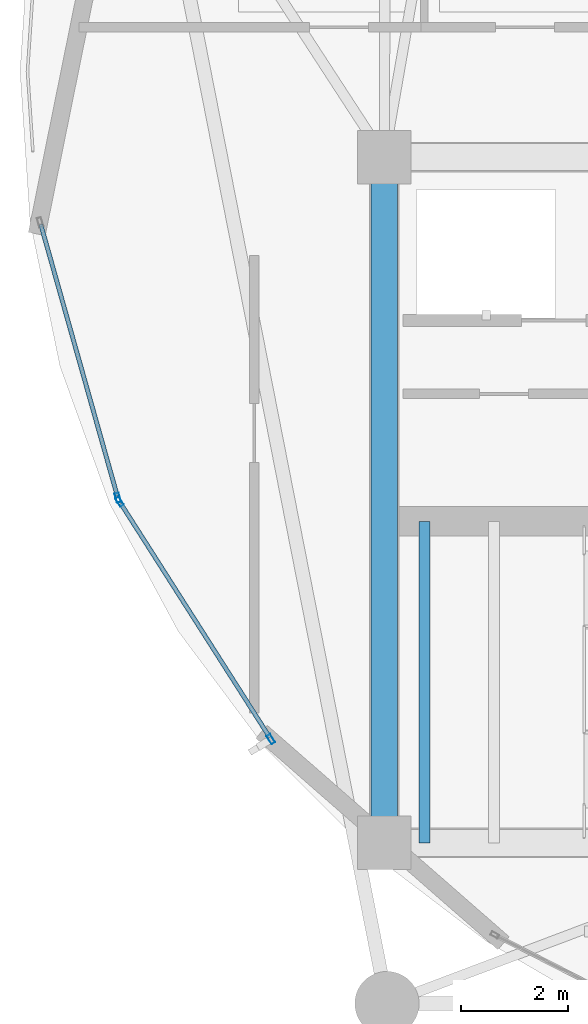
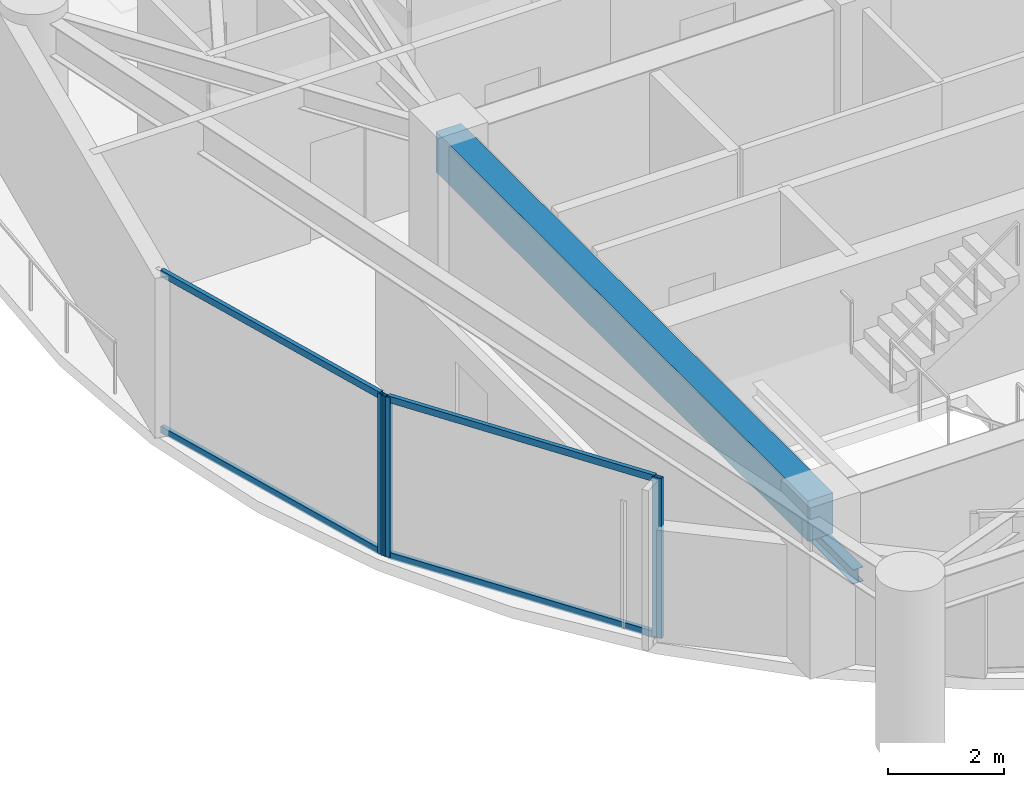
# One storey, part 3 of 28: 7 members, 2 beams, 2 elements without a shape of their own.
"""IFC4 building model written with IfcOpenShell, lengths in metres."""

from ifc_helpers import new_model, si_unit, direction, frame, origin, origin_2d, place, context, subcontext, project, spatial, rectangle, hollow_rectangle, i_section, extrude, material, layer, layer_set, material_profile, profile_set, type_object, element, aggregate, save


model = new_model("IFC4")

# Units and contexts
model_context = context("Model", 3, precision=1e-05, world=origin(), true_north=direction((0.0, 1.0)))
body_context = subcontext(model_context, "Body", "Model", "MODEL_VIEW")
ifc_project = project(units=[si_unit("LENGTHUNIT", "METRE"), si_unit("AREAUNIT", "SQUARE_METRE"), si_unit("VOLUMEUNIT", "CUBIC_METRE"), si_unit("PLANEANGLEUNIT", "RADIAN"), si_unit("MASSUNIT", "GRAM", prefix="KILO")], contexts=[model_context])

# Site, building, storey
site_placement = place(None, origin())
site = spatial("IfcSite", under=ifc_project, at=site_placement, CompositionType="ELEMENT")
building_placement = place(site_placement, origin())
building = spatial("IfcBuilding", under=site, at=building_placement, Name="Kazevale Care Tower and Concert Hall", CompositionType="ELEMENT")
storey_placement = place(building_placement, frame((0.0, 0.0, 142.199951171875)))
storey = spatial("IfcBuildingStorey", under=building, at=storey_placement, Name="L37", CompositionType="ELEMENT", Elevation=142.199951171875)

# Curtain wall, members
ifc_material_1 = material(Name="Aluminium 6063-T6 and Low-E Glass", Category="aluminium")
ifc_layer = layer(ifc_material_1, 0.179931640625)
ifc_layer_set = layer_set([ifc_layer], Name="Aluminium 6063-T6 and Low-E Glass")
curtain_wall_type = type_object("IfcCurtainWallType", Name="Waist & Upper Residential Curtain Wall CW-4", PredefinedType="NOTDEFINED", material=ifc_layer_set)
curtain_wall_1_placement = place(storey_placement, origin())
curtain_wall_1 = element("IfcCurtainWall", 1, at=curtain_wall_1_placement, inside=storey, type_object=curtain_wall_type, Name="cw:L37:f11", PredefinedType="NOTDEFINED")
ifc_material_2 = material(Name="Aluminium 6063-T6", Category="aluminium")
ifc_material_profile_1 = material_profile(ifc_material_2, hollow_rectangle(XDim=0.080078125, YDim=0.179931640625, WallThickness=0.0048828125, at=origin_2d()), Name="ALU80x180x5")
ifc_profile_set_1 = profile_set([ifc_material_profile_1], Name="Aluminium 6063-T6")
member_type_1 = type_object("IfcMemberType", Name="CW-4 Mullion ALU80x180x5", PredefinedType="MULLION", material=ifc_profile_set_1)
member_1_placement = place(storey_placement, frame((19.882568359375, 25.53564453125, 0.0), z_axis=(0.0, 0.0, 1.0), x_axis=(-0.843429930967, -0.537239193981, 0.0)))
member_1 = element("IfcMember", 2, at=member_1_placement, type_object=member_type_1, Name="CW-4 mullion 1", PredefinedType="MULLION", context=body_context, shape_type="SweptSolid", body=[
    extrude(hollow_rectangle(XDim=0.080078125, YDim=0.179931640625, WallThickness=0.0048828125, at=origin_2d()), origin(), (0.0, 0.0, 1.0), 3.360107421875),
])
member_2_placement = place(storey_placement, frame((17.05859375, 29.96923828125, 0.0), z_axis=(0.0, 0.0, 1.0), x_axis=(-0.843429930967, -0.537239193981, 0.0)))
member_2 = element("IfcMember", 3, at=member_2_placement, type_object=member_type_1, Name="CW-4 mullion 2", PredefinedType="MULLION", context=body_context, shape_type="SweptSolid", body=[
    extrude(hollow_rectangle(XDim=0.080078125, YDim=0.179931640625, WallThickness=0.0048828125, at=origin_2d()), origin(), (0.0, 0.0, 1.0), 3.360107421875),
])

# Curtain wall, member
curtain_wall_2_placement = place(storey_placement, origin())
curtain_wall_2 = element("IfcCurtainWall", 4, at=curtain_wall_2_placement, inside=storey, type_object=curtain_wall_type, Name="cw:L37:f12", PredefinedType="NOTDEFINED")
member_3_placement = place(storey_placement, frame((17.026123046875, 30.04150390625, 0.0), z_axis=(0.0, 0.0, 1.0), x_axis=(-0.962499078876, -0.271284948278, 0.0)))
member_3 = element("IfcMember", 5, at=member_3_placement, type_object=member_type_1, Name="CW-4 mullion 1", PredefinedType="MULLION", context=body_context, shape_type="SweptSolid", body=[
    extrude(hollow_rectangle(XDim=0.080078125, YDim=0.179931640625, WallThickness=0.0048828125, at=origin_2d()), origin(), (0.0, 0.0, 1.0), 3.360107421875),
])

# Member
ifc_material_profile_2 = material_profile(ifc_material_2, hollow_rectangle(XDim=0.080078125, YDim=0.139892578125, WallThickness=0.00390625, at=origin_2d()), Name="ALU80x140x4")
ifc_profile_set_2 = profile_set([ifc_material_profile_2], Name="Aluminium 6063-T6")
member_type_2 = type_object("IfcMemberType", Name="CW-4 Transom ALU80x140x4", PredefinedType="USERDEFINED", material=ifc_profile_set_2)
member_4_placement = place(storey_placement, frame((19.861083984375, 25.569580078125, 0.0400390625), z_axis=(-0.537241653837, 0.843428364109, 0.0), x_axis=(-0.843428364109, -0.537241653837, 0.0)))
member_4 = element("IfcMember", 6, at=member_4_placement, type_object=member_type_2, Name="CW-4 transom 1.1", ObjectType="TRANSOM", PredefinedType="USERDEFINED", context=body_context, shape_type="SweptSolid", body=[
    extrude(hollow_rectangle(XDim=0.080078125, YDim=0.139892578125, WallThickness=0.00390625, at=origin_2d()), origin(), (0.0, 0.0, 1.0), 5.176513671875),
])

member_5_placement = place(storey_placement, frame((19.861083984375, 25.569580078125, 3.320068359375), z_axis=(-0.537241653837, 0.843428364109, 0.0), x_axis=(-0.843428364109, -0.537241653837, 0.0)))
member_5 = element("IfcMember", 7, at=member_5_placement, type_object=member_type_2, Name="CW-4 transom 1.2", ObjectType="TRANSOM", PredefinedType="USERDEFINED", context=body_context, shape_type="SweptSolid", body=[
    extrude(hollow_rectangle(XDim=0.080078125, YDim=0.139892578125, WallThickness=0.00390625, at=origin_2d()), origin(), (0.0, 0.0, 1.0), 5.176513671875),
])

aggregate(curtain_wall_1, [member_1, member_2, member_4, member_5])

member_6_placement = place(storey_placement, frame((17.015380859375, 30.080078125, 0.0400390625), z_axis=(-0.271312503244, 0.962491311952, 0.0), x_axis=(-0.962491311952, -0.271312503244, 0.0)))
member_6 = element("IfcMember", 8, at=member_6_placement, type_object=member_type_2, Name="CW-4 transom 1.1", ObjectType="TRANSOM", PredefinedType="USERDEFINED", context=body_context, shape_type="SweptSolid", body=[
    extrude(hollow_rectangle(XDim=0.080078125, YDim=0.139892578125, WallThickness=0.00390625, at=origin_2d()), origin(), (0.0, 0.0, 1.0), 5.26220703125),
])

member_7_placement = place(storey_placement, frame((17.015380859375, 30.080078125, 3.320068359375), z_axis=(-0.271312503244, 0.962491311952, 0.0), x_axis=(-0.962491311952, -0.271312503244, 0.0)))
member_7 = element("IfcMember", 9, at=member_7_placement, type_object=member_type_2, Name="CW-4 transom 1.2", ObjectType="TRANSOM", PredefinedType="USERDEFINED", context=body_context, shape_type="SweptSolid", body=[
    extrude(hollow_rectangle(XDim=0.080078125, YDim=0.139892578125, WallThickness=0.00390625, at=origin_2d()), origin(), (0.0, 0.0, 1.0), 5.26220703125),
])

aggregate(curtain_wall_2, [member_3, member_6, member_7])

# Beams
ifc_material_3 = material(Name="Concrete C60", Category="concrete")
ifc_material_profile_3 = material_profile(ifc_material_3, rectangle(XDim=0.5, YDim=0.85009765625, at=origin_2d()), Name="RC-B500x850")
ifc_profile_set_3 = profile_set([ifc_material_profile_3], Name="Concrete C60")
beam_type_1 = type_object("IfcBeamType", Name="Core Coupling Beam RC500x850", PredefinedType="LINTEL", material=ifc_profile_set_3)
beam_1_placement = place(storey_placement, frame((22.0, 36.39990234375, 2.93505859375), z_axis=(0.0, -1.0, 0.0), x_axis=(1.0, 0.0, 0.0)))
element("IfcBeam", 10, at=beam_1_placement, inside=storey, type_object=beam_type_1, Name="beam:L37:coretie:8", PredefinedType="LINTEL", context=body_context, shape_type="SweptSolid", body=[
    extrude(rectangle(XDim=0.5, YDim=0.85009765625, at=origin_2d()), origin(), (0.0, 0.0, 1.0), 12.7998046875),
])
ifc_material_4 = material(Name="Steel ASTM A572 Gr 50", Category="steel")
ifc_material_profile_4 = material_profile(ifc_material_4, i_section(OverallWidth=0.202880859375, OverallDepth=0.302978515625, WebThickness=0.007568359375, FlangeThickness=0.01318359375, at=origin_2d()), Name="W310x60")
ifc_profile_set_4 = profile_set([ifc_material_profile_4], Name="Steel ASTM A572 Gr 50")
beam_type_2 = type_object("IfcBeamType", Name="Stair & Balcony Trimmer W310x60", PredefinedType="BEAM", material=ifc_profile_set_4)
beam_2_placement = place(storey_placement, frame((22.75, 23.60009765625, 1.448486328125), z_axis=(0.0, 1.0, 0.0), x_axis=(-1.0, 0.0, 0.0)))
element("IfcBeam", 11, at=beam_2_placement, inside=storey, type_object=beam_type_2, Name="beam:L37:sttrim:ST1", PredefinedType="BEAM", context=body_context, shape_type="SweptSolid", body=[
    extrude(i_section(OverallWidth=0.202880859375, OverallDepth=0.302978515625, WebThickness=0.007568359375, FlangeThickness=0.01318359375, at=origin_2d()), origin(), (0.0, 0.0, 1.0), 6.0),
])

save(model, "model.ifc")
